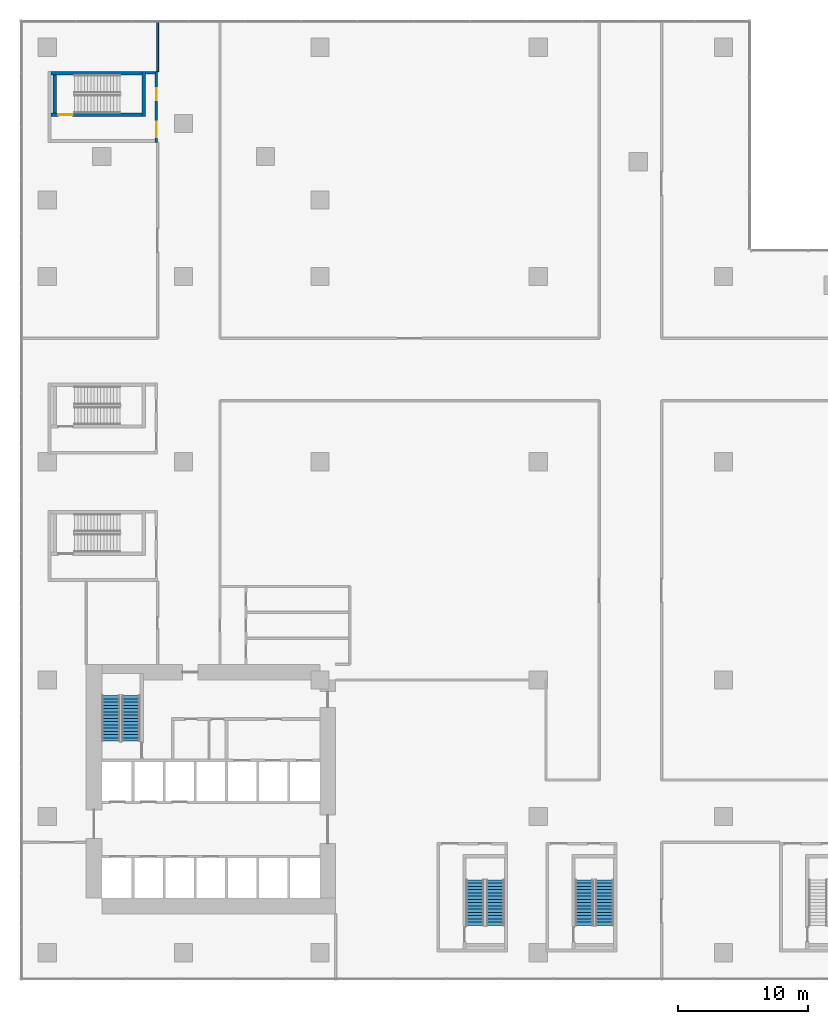
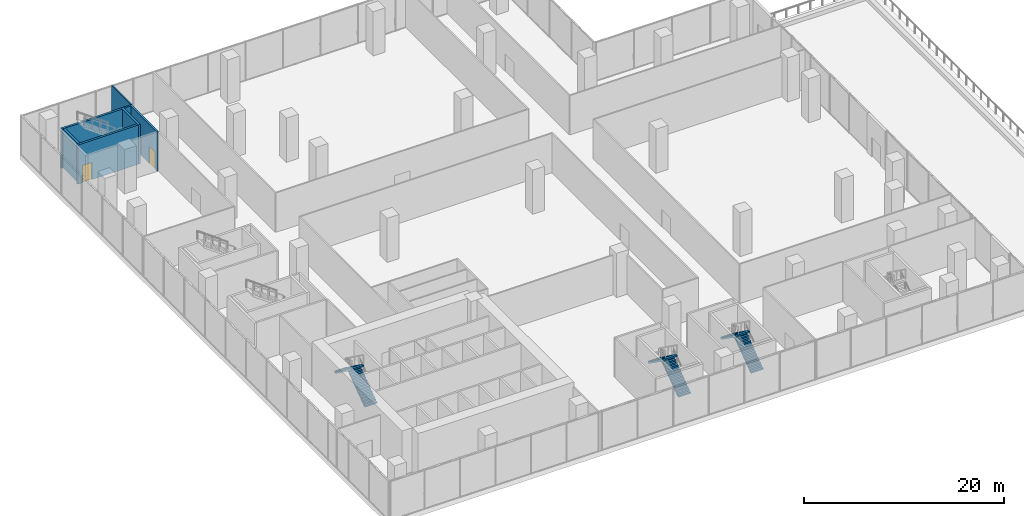
# One storey, part 17 of 23: 7 walls, 6 stair flights, 3 doors, 3 openings, 3 elements without a shape of their own.
"""IFC4 building model written with IfcOpenShell, lengths in metres."""

from ifc_helpers import new_model, si_unit, direction, frame, frame_2d, origin, place, context, subcontext, project, spatial, polyline, rectangle, outline, extrude, source, transform, mapped, material, layer, layer_set, type_object, element, fill, aggregate, save


model = new_model("IFC4")

# Units and contexts
model_context = context("Model", 3, precision=1e-05, world=origin(), true_north=direction((0.0, 1.0)))
body_context = subcontext(model_context, "Body", "Model", "MODEL_VIEW")
ifc_project = project(units=[si_unit("LENGTHUNIT", "METRE"), si_unit("AREAUNIT", "SQUARE_METRE"), si_unit("VOLUMEUNIT", "CUBIC_METRE"), si_unit("PLANEANGLEUNIT", "RADIAN"), si_unit("MASSUNIT", "GRAM", prefix="KILO")], contexts=[model_context])

# Site, building, storey
site_placement = place(None, origin())
site = spatial("IfcSite", under=ifc_project, at=site_placement, CompositionType="ELEMENT")
building_placement = place(site_placement, origin())
building = spatial("IfcBuilding", under=site, at=building_placement, Name="Aurelian Terraces", CompositionType="ELEMENT")
storey_placement = place(building_placement, frame((0.0, 0.0, 18.3)))
storey = spatial("IfcBuildingStorey", under=building, at=storey_placement, Name="L03", CompositionType="ELEMENT", Elevation=18.3)

# Wall, opening, door
ifc_material_1 = material(Name="Concrete fc' 40 MPa", Category="concrete")
ifc_layer_1 = layer(ifc_material_1, 0.25)
ifc_layer_set_1 = layer_set([ifc_layer_1], Name="Stair enclosure wall 250")
wall_type_1 = type_object("IfcWallType", Name="Stair enclosure wall 250", PredefinedType="SOLIDWALL", material=ifc_layer_set_1)
shared_shape_1 = source(origin(), body_context, "Body", "SweptSolid", [
    extrude(rectangle(XDim=7.0, YDim=0.25, at=frame_2d((3.5, 0.0))), origin(), (0.0, 0.0, 1.0), 4.8),
])
wall_1_placement = place(storey_placement, frame((0.3, 64.525, 0.0), z_axis=(0.0, 0.0, 1.0), x_axis=(1.0, 0.0, 0.0)))
wall_1 = element("IfcWall", 1, at=wall_1_placement, inside=storey, type_object=wall_type_1, Name="L03 core wall ST-S5-W", PredefinedType="SOLIDWALL", context=body_context, shape_type="MappedRepresentation", body=[
    mapped(shared_shape_1, transform((0.0, 0.0, 0.0), scale=1.0)),
])
shared_shape_2 = source(origin(), body_context, "Body", "SweptSolid", [
    extrude(rectangle(XDim=1.1, YDim=2.1, at=frame_2d((0.55, 1.05))), frame((0.0, 0.135, 0.0), z_axis=(0.0, -1.0, 0.0), x_axis=(1.0, 0.0, 0.0)), (0.0, 0.0, 1.0), 0.27),
])
opening_1_placement = place(wall_1_placement, frame((0.55, 0.0, 0.0)))
opening_1 = element("IfcOpeningElement", 2, at=opening_1_placement, cuts=wall_1, Name="Opening 60623", PredefinedType="OPENING", context=body_context, shape_type="MappedRepresentation", body=[
    mapped(shared_shape_2, transform((0.0, 0.0, 0.0), scale=1.0)),
])
ifc_material_2 = material(Name="Steel door leaf", Category="steel")
door_type_1 = type_object("IfcDoorType", Name="Core fire door 1100x2100 right", OperationType="SINGLE_SWING_RIGHT", PredefinedType="DOOR", material=ifc_material_2)
shared_shape_3 = source(origin(), body_context, "Body", "SweptSolid", [
    extrude(rectangle(XDim=1.1, YDim=2.1, at=frame_2d((0.55, 1.05))), frame((0.0, 0.025, 0.0), z_axis=(0.0, -1.0, 0.0), x_axis=(1.0, 0.0, 0.0)), (0.0, 0.0, 1.0), 0.05),
])
door_1_placement = place(opening_1_placement, origin())
door_1 = element("IfcDoor", 3, at=door_1_placement, inside=storey, type_object=door_type_1, Name="Stair door 60623", OperationType="SINGLE_SWING_RIGHT", OverallHeight=2.1, OverallWidth=1.1, PredefinedType="DOOR", context=body_context, shape_type="MappedRepresentation", body=[
    mapped(shared_shape_3, transform((0.0, 0.0, 0.0), scale=1.0)),
])
fill(opening_1, door_1)

# Walls
wall_2_placement = place(storey_placement, frame((0.3, 67.725, 0.0), z_axis=(0.0, 0.0, 1.0), x_axis=(1.0, 0.0, 0.0)))
element("IfcWall", 4, at=wall_2_placement, inside=storey, type_object=wall_type_1, Name="L03 core wall ST-S5-E", PredefinedType="SOLIDWALL", context=body_context, shape_type="MappedRepresentation", body=[
    mapped(shared_shape_1, transform((0.0, 0.0, 0.0), scale=1.0)),
])
shared_shape_4 = source(origin(), body_context, "Body", "SweptSolid", [
    extrude(rectangle(XDim=3.45, YDim=0.25, at=frame_2d((1.725, 0.0))), origin(), (0.0, 0.0, 1.0), 4.8),
])
wall_3_placement = place(storey_placement, frame((7.425, 64.4, 0.0), z_axis=(0.0, 0.0, 1.0), x_axis=(0.0, 1.0, 0.0)))
element("IfcWall", 5, at=wall_3_placement, inside=storey, type_object=wall_type_1, Name="L03 core wall ST-S5-N", PredefinedType="SOLIDWALL", context=body_context, shape_type="MappedRepresentation", body=[
    mapped(shared_shape_4, transform((0.0, 0.0, 0.0), scale=1.0)),
])
shared_shape_5 = source(origin(), body_context, "Body", "SweptSolid", [
    extrude(rectangle(XDim=2.95, YDim=0.25, at=frame_2d((1.475, 0.0))), origin(), (0.0, 0.0, 1.0), 4.8),
])
wall_4_placement = place(storey_placement, frame((0.575, 64.65, 0.0), z_axis=(0.0, 0.0, 1.0), x_axis=(0.0, 1.0, 0.0)))
element("IfcWall", 6, at=wall_4_placement, inside=storey, type_object=wall_type_1, Name="L03 core wall ST-S5-SS", PredefinedType="SOLIDWALL", context=body_context, shape_type="MappedRepresentation", body=[
    mapped(shared_shape_5, transform((0.0, 0.0, 0.0), scale=1.0)),
])

# Wall, openings, doors
ifc_material_3 = material(Name="Gypsum board on steel studs", Category="steel")
ifc_layer_2 = layer(ifc_material_3, 0.2)
ifc_layer_set_2 = layer_set([ifc_layer_2], Name="Core partition 200")
wall_type_2 = type_object("IfcWallType", Name="Core partition 200", PredefinedType="PARTITIONING", material=ifc_layer_set_2)
shared_shape_6 = source(origin(), body_context, "Body", "SweptSolid", [
    extrude(rectangle(XDim=5.45, YDim=0.2, at=frame_2d((2.725, 0.0))), origin(), (0.0, 0.0, 1.0), 4.8),
])
wall_5_placement = place(storey_placement, frame((8.4, 62.4, 0.0), z_axis=(0.0, 0.0, 1.0), x_axis=(0.0, 1.0, 0.0)))
wall_5 = element("IfcWall", 7, at=wall_5_placement, inside=storey, type_object=wall_type_2, Name="L03 core wall ST-S5-BN", PredefinedType="PARTITIONING", context=body_context, shape_type="MappedRepresentation", body=[
    mapped(shared_shape_6, transform((0.0, 0.0, 0.0), scale=1.0)),
])
shared_shape_7 = source(origin(), body_context, "Body", "SweptSolid", [
    extrude(rectangle(XDim=1.2, YDim=2.1, at=frame_2d((0.6, 1.05))), frame((0.0, 0.11, 0.0), z_axis=(0.0, -1.0, 0.0), x_axis=(1.0, 0.0, 0.0)), (0.0, 0.0, 1.0), 0.22),
])
opening_2_placement = place(wall_5_placement, frame((0.4, 0.0, 0.0)))
opening_2 = element("IfcOpeningElement", 8, at=opening_2_placement, cuts=wall_5, Name="Opening 60624", PredefinedType="OPENING", context=body_context, shape_type="MappedRepresentation", body=[
    mapped(shared_shape_7, transform((0.0, 0.0, 0.0), scale=1.0)),
])
shared_shape_8 = source(origin(), body_context, "Body", "SweptSolid", [
    extrude(rectangle(XDim=0.9, YDim=2.1, at=frame_2d((0.45, 1.05))), frame((0.0, 0.11, 0.0), z_axis=(0.0, -1.0, 0.0), x_axis=(1.0, 0.0, 0.0)), (0.0, 0.0, 1.0), 0.22),
])
opening_3_placement = place(wall_5_placement, frame((3.25, 0.0, 0.0)))
opening_3 = element("IfcOpeningElement", 9, at=opening_3_placement, cuts=wall_5, Name="Opening 60625", PredefinedType="OPENING", context=body_context, shape_type="MappedRepresentation", body=[
    mapped(shared_shape_8, transform((0.0, 0.0, 0.0), scale=1.0)),
])
door_type_2 = type_object("IfcDoorType", Name="Core riser door 900x2100 right", OperationType="SINGLE_SWING_RIGHT", PredefinedType="DOOR", material=ifc_material_2)
shared_shape_9 = source(origin(), body_context, "Body", "SweptSolid", [
    extrude(rectangle(XDim=0.9, YDim=2.1, at=frame_2d((0.45, 1.05))), frame((0.0, 0.025, 0.0), z_axis=(0.0, -1.0, 0.0), x_axis=(1.0, 0.0, 0.0)), (0.0, 0.0, 1.0), 0.05),
])
door_2_placement = place(opening_3_placement, origin())
door_2 = element("IfcDoor", 10, at=door_2_placement, inside=storey, type_object=door_type_2, Name="Riser door 60625", OperationType="SINGLE_SWING_RIGHT", OverallHeight=2.1, OverallWidth=0.9, PredefinedType="DOOR", context=body_context, shape_type="MappedRepresentation", body=[
    mapped(shared_shape_9, transform((0.0, 0.0, 0.0), scale=1.0)),
])
fill(opening_3, door_2)
door_type_3 = type_object("IfcDoorType", Name="Core fire door 1200x2100", OperationType="SINGLE_SWING_LEFT", PredefinedType="DOOR", material=ifc_material_2)
shared_shape_10 = source(origin(), body_context, "Body", "SweptSolid", [
    extrude(rectangle(XDim=1.2, YDim=2.1, at=frame_2d((0.6, 1.05))), frame((0.0, 0.025, 0.0), z_axis=(0.0, -1.0, 0.0), x_axis=(1.0, 0.0, 0.0)), (0.0, 0.0, 1.0), 0.05),
])
door_3_placement = place(opening_2_placement, origin())
door_3 = element("IfcDoor", 11, at=door_3_placement, inside=storey, type_object=door_type_3, Name="Vestibule door 60624", OperationType="SINGLE_SWING_LEFT", OverallHeight=2.1, OverallWidth=1.2, PredefinedType="DOOR", context=body_context, shape_type="MappedRepresentation", body=[
    mapped(shared_shape_10, transform((0.0, 0.0, 0.0), scale=1.0)),
])
fill(opening_2, door_3)

# Walls
shared_shape_11 = source(origin(), body_context, "Body", "SweptSolid", [
    extrude(rectangle(XDim=0.75, YDim=0.2, at=frame_2d((0.375, 0.0))), origin(), (0.0, 0.0, 1.0), 4.8),
])
wall_6_placement = place(storey_placement, frame((7.55, 67.75, 0.0), z_axis=(0.0, 0.0, 1.0), x_axis=(1.0, 0.0, 0.0)))
element("IfcWall", 12, at=wall_6_placement, inside=storey, type_object=wall_type_2, Name="L03 core wall ST-S5-RE", PredefinedType="PARTITIONING", context=body_context, shape_type="MappedRepresentation", body=[
    mapped(shared_shape_11, transform((0.0, 0.0, 0.0), scale=1.0)),
])
ifc_layer_3 = layer(ifc_material_3, 0.15)
ifc_layer_set_3 = layer_set([ifc_layer_3], Name="Special partition 150")
wall_type_3 = type_object("IfcWallType", Name="Special partition 150", PredefinedType="PARTITIONING", material=ifc_layer_set_3)
shared_shape_12 = source(origin(), body_context, "Body", "SweptSolid", [
    extrude(rectangle(XDim=3.97, YDim=0.15, at=frame_2d((1.985, 0.0))), origin(), (0.0, 0.0, 1.0), 4.8),
])
wall_7_placement = place(storey_placement, frame((8.5, 67.85, 0.0), z_axis=(0.0, 0.0, 1.0), x_axis=(0.0, 1.0, 0.0)))
element("IfcWall", 13, at=wall_7_placement, inside=storey, type_object=wall_type_3, Name="L03 partition W19", PredefinedType="PARTITIONING", context=body_context, shape_type="MappedRepresentation", body=[
    mapped(shared_shape_12, transform((0.0, 0.0, 0.0), scale=1.0)),
])

# Stair, stair flights
stair_type = type_object("IfcStairType", Name="Stair 1400", PredefinedType="HALF_TURN_STAIR", material=ifc_material_1)
stair_1_placement = place(storey_placement, origin())
stair_1 = element("IfcStair", 14, at=stair_1_placement, inside=storey, type_object=stair_type, Name="L03 S1", PredefinedType="HALF_TURN_STAIR")
stair_flight_type = type_object("IfcStairFlightType", Name="Stair flight 1400", PredefinedType="STRAIGHT", material=ifc_material_1)
shared_shape_13 = source(origin(), body_context, "Body", "SweptSolid", [
    extrude(outline(polyline([(0.0, 0.0), (0.0, 0.18), (0.25, 0.18), (0.25, 0.36), (0.5, 0.36), (0.5, 0.54), (0.75, 0.54), (0.75, 0.72), (1.0, 0.72), (1.0, 0.9), (1.25, 0.9), (1.25, 1.08), (1.5, 1.08), (1.5, 1.26), (1.75, 1.26), (1.75, 1.44), (2.0, 1.44), (2.0, 1.62), (2.25, 1.62), (2.25, 1.8), (2.5, 1.8), (2.5, 1.98), (2.75, 1.98), (2.75, 2.16), (3.0, 2.16), (3.0, 2.34), (3.25, 2.34), (3.25, 2.52), (3.5, 2.52), (3.5, 2.7), (3.5, 2.3352), (0.2567, 0.0), (0.0, 0.0)])), frame((0.0, 0.7, 0.0), z_axis=(0.0, -1.0, 0.0), x_axis=(1.0, 0.0, 0.0)), (0.0, 0.0, 1.0), 1.4),
])
stair_flight_1_placement = place(storey_placement, frame((6.45, 16.3, 2e-08), z_axis=(0.0, 0.0, 1.0), x_axis=(0.0, 1.0, 0.0)))
stair_flight_1 = element("IfcStairFlight", 15, at=stair_flight_1_placement, type_object=stair_flight_type, Name="S1 flight 1", NumberOfRisers=15, NumberOfTreads=14, PredefinedType="STRAIGHT", RiserHeight=0.18, TreadLength=0.25, context=body_context, shape_type="MappedRepresentation", body=[
    mapped(shared_shape_13, transform((0.0, 0.0, 0.0), scale=1.0)),
])
stair_flight_2_placement = place(storey_placement, frame((4.9, 19.8, 2.700000019999999), z_axis=(0.0, 0.0, 1.0), x_axis=(0.0, -1.0, 0.0)))
stair_flight_2 = element("IfcStairFlight", 16, at=stair_flight_2_placement, type_object=stair_flight_type, Name="S1 flight 2", NumberOfRisers=15, NumberOfTreads=14, PredefinedType="STRAIGHT", RiserHeight=0.18, TreadLength=0.25, context=body_context, shape_type="MappedRepresentation", body=[
    mapped(shared_shape_13, transform((0.0, 0.0, 0.0), scale=1.0)),
])
aggregate(stair_1, [stair_flight_1, stair_flight_2])

stair_2_placement = place(storey_placement, origin())
stair_2 = element("IfcStair", 17, at=stair_2_placement, inside=storey, type_object=stair_type, Name="L03 S2", PredefinedType="HALF_TURN_STAIR")
stair_flight_3_placement = place(storey_placement, frame((42.9, 2.1, 2e-08), z_axis=(0.0, 0.0, 1.0), x_axis=(0.0, 1.0, 0.0)))
stair_flight_3 = element("IfcStairFlight", 18, at=stair_flight_3_placement, type_object=stair_flight_type, Name="S2 flight 1", NumberOfRisers=15, NumberOfTreads=14, PredefinedType="STRAIGHT", RiserHeight=0.18, TreadLength=0.25, context=body_context, shape_type="MappedRepresentation", body=[
    mapped(shared_shape_13, transform((0.0, 0.0, 0.0), scale=1.0)),
])
stair_flight_4_placement = place(storey_placement, frame((41.35, 5.6, 2.700000019999999), z_axis=(0.0, 0.0, 1.0), x_axis=(0.0, -1.0, 0.0)))
stair_flight_4 = element("IfcStairFlight", 19, at=stair_flight_4_placement, type_object=stair_flight_type, Name="S2 flight 2", NumberOfRisers=15, NumberOfTreads=14, PredefinedType="STRAIGHT", RiserHeight=0.18, TreadLength=0.25, context=body_context, shape_type="MappedRepresentation", body=[
    mapped(shared_shape_13, transform((0.0, 0.0, 0.0), scale=1.0)),
])
aggregate(stair_2, [stair_flight_3, stair_flight_4])

stair_3_placement = place(storey_placement, origin())
stair_3 = element("IfcStair", 20, at=stair_3_placement, inside=storey, type_object=stair_type, Name="L03 S7", PredefinedType="HALF_TURN_STAIR")
stair_flight_5_placement = place(storey_placement, frame((34.5, 2.1, 2e-08), z_axis=(0.0, 0.0, 1.0), x_axis=(0.0, 1.0, 0.0)))
stair_flight_5 = element("IfcStairFlight", 21, at=stair_flight_5_placement, type_object=stair_flight_type, Name="S7 flight 1", NumberOfRisers=15, NumberOfTreads=14, PredefinedType="STRAIGHT", RiserHeight=0.18, TreadLength=0.25, context=body_context, shape_type="MappedRepresentation", body=[
    mapped(shared_shape_13, transform((0.0, 0.0, 0.0), scale=1.0)),
])
stair_flight_6_placement = place(storey_placement, frame((32.95, 5.6, 2.700000019999999), z_axis=(0.0, 0.0, 1.0), x_axis=(0.0, -1.0, 0.0)))
stair_flight_6 = element("IfcStairFlight", 22, at=stair_flight_6_placement, type_object=stair_flight_type, Name="S7 flight 2", NumberOfRisers=15, NumberOfTreads=14, PredefinedType="STRAIGHT", RiserHeight=0.18, TreadLength=0.25, context=body_context, shape_type="MappedRepresentation", body=[
    mapped(shared_shape_13, transform((0.0, 0.0, 0.0), scale=1.0)),
])
aggregate(stair_3, [stair_flight_5, stair_flight_6])

save(model, "model.ifc")
